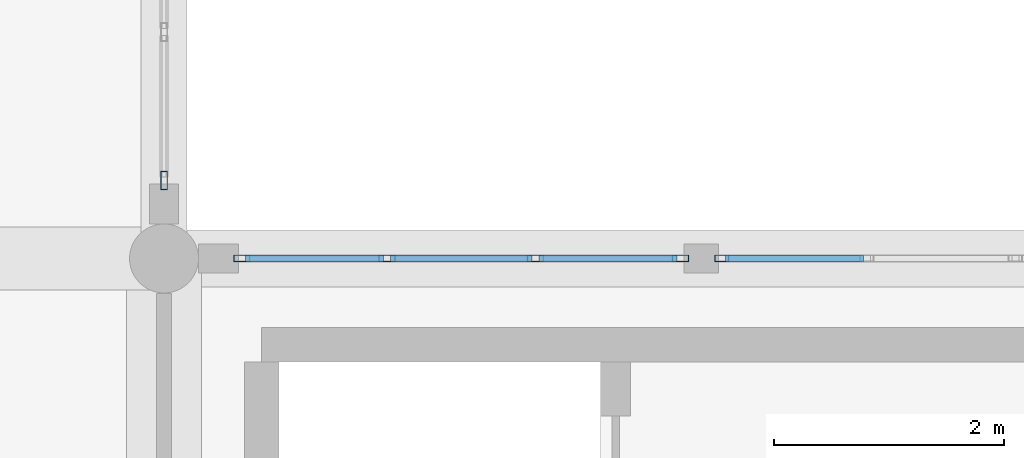
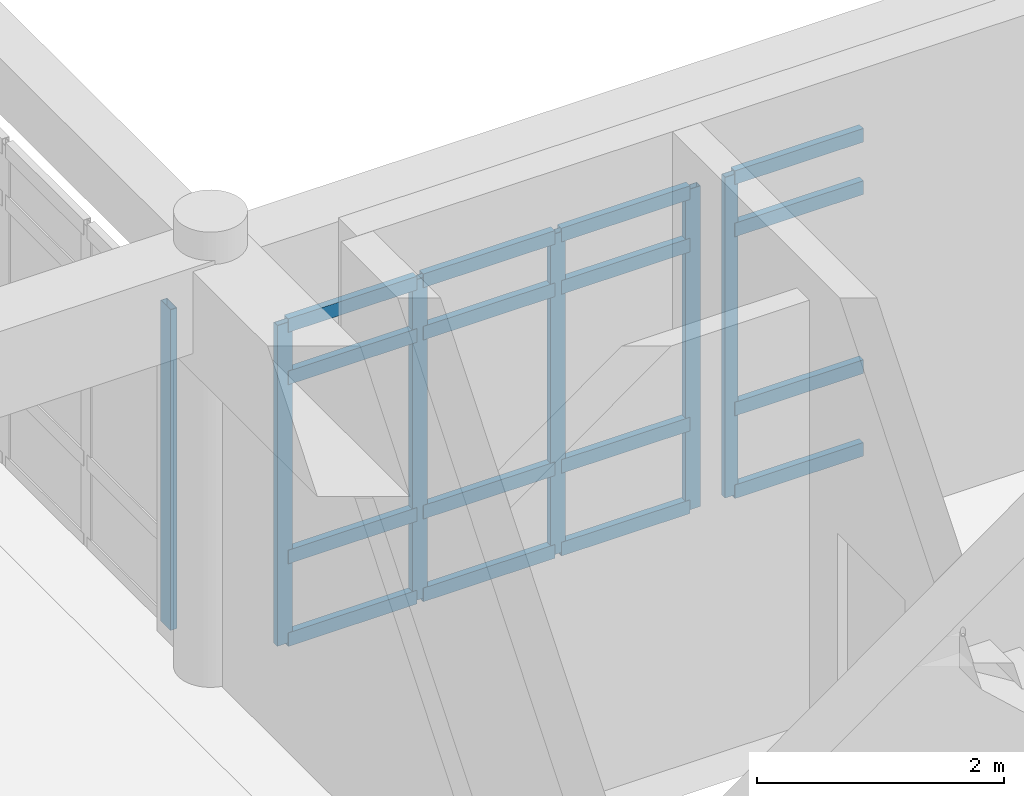
# One storey, part 4 of 109: 22 members, 3 elements without a shape of their own.
"""IFC4 building model written with IfcOpenShell, lengths in metres."""

from ifc_helpers import new_model, si_unit, direction, frame, origin, origin_2d, place, context, subcontext, project, spatial, hollow_rectangle, extrude, material, layer, layer_set, material_profile, profile_set, type_object, element, aggregate, save


model = new_model("IFC4")

# Units and contexts
model_context = context("Model", 3, precision=1e-05, world=origin(), true_north=direction((0.0, 1.0)))
body_context = subcontext(model_context, "Body", "Model", "MODEL_VIEW")
ifc_project = project(units=[si_unit("LENGTHUNIT", "METRE"), si_unit("AREAUNIT", "SQUARE_METRE"), si_unit("VOLUMEUNIT", "CUBIC_METRE"), si_unit("PLANEANGLEUNIT", "RADIAN"), si_unit("MASSUNIT", "GRAM", prefix="KILO")], contexts=[model_context])

# Site, building, storey
site_placement = place(None, origin())
site = spatial("IfcSite", under=ifc_project, at=site_placement, CompositionType="ELEMENT")
building_placement = place(site_placement, origin())
building = spatial("IfcBuilding", under=site, at=building_placement, Name="Fikremerkos Civic Library", CompositionType="ELEMENT")
storey_placement = place(building_placement, frame((0.0, 0.0, 5.39990234375)))
storey = spatial("IfcBuildingStorey", under=building, at=storey_placement, Name="L01", CompositionType="ELEMENT", Elevation=5.39990234375)

# Curtain wall, member
ifc_material = material(Name="Anodized aluminium Frame", Category="aluminium")
ifc_layer_1 = layer(ifc_material, 0.159912109375, Name="Anodized aluminium Frame")
ifc_layer_set_1 = layer_set([ifc_layer_1], Name="Anodized aluminium Frame")
curtain_wall_type_1 = type_object("IfcCurtainWallType", Name="Unitised curtain wall CW-02 3900x3600", PredefinedType="USERDEFINED", material=ifc_layer_set_1)
curtain_wall_1_placement = place(storey_placement, origin())
curtain_wall_1 = element("IfcCurtainWall", 1, at=curtain_wall_1_placement, inside=storey, type_object=curtain_wall_type_1, Name="Unitised curtain wall CW-02 L01 #74", ObjectType="UNITISED CURTAIN WALL", PredefinedType="USERDEFINED")
ifc_material_profile_1 = material_profile(ifc_material, hollow_rectangle(XDim=0.06005859375, YDim=0.159912109375, WallThickness=0.00390625, at=origin_2d()), Name="ALU 160x60x4")
ifc_profile_set_1 = profile_set([ifc_material_profile_1], Name="Anodized aluminium Frame")
member_type_1 = type_object("IfcMemberType", Name="Curtain mullion CWM-02 ALU 160x60x4", PredefinedType="MULLION", material=ifc_profile_set_1)
member_1_placement = place(storey_placement, frame((19.199951171875, 31.8779296875, 0.0), z_axis=(0.0, 0.0, 1.0), x_axis=(1.0, 0.0, 0.0)))
member_1 = element("IfcMember", 2, at=member_1_placement, type_object=member_type_1, Name="CW-02 mullion 4", PredefinedType="MULLION", context=body_context, shape_type="SweptSolid", body=[
    extrude(hollow_rectangle(XDim=0.06005859375, YDim=0.159912109375, WallThickness=0.00390625, at=origin_2d()), origin(), (0.0, 0.0, 1.0), 3.170166015625),
])
aggregate(curtain_wall_1, [member_1])

# Curtain wall, members
ifc_layer_2 = layer(ifc_material, 0.159912109375, Name="Anodized aluminium Frame")
ifc_layer_set_2 = layer_set([ifc_layer_2], Name="Anodized aluminium Frame")
curtain_wall_type_2 = type_object("IfcCurtainWallType", Name="Unitised curtain wall CW-03 4100x3600", PredefinedType="USERDEFINED", material=ifc_layer_set_2)
curtain_wall_2_placement = place(storey_placement, origin())
curtain_wall_2 = element("IfcCurtainWall", 3, at=curtain_wall_2_placement, inside=storey, type_object=curtain_wall_type_2, Name="Unitised curtain wall CW-03 L01 #75", ObjectType="UNITISED CURTAIN WALL", PredefinedType="USERDEFINED")
ifc_material_profile_2 = material_profile(ifc_material, hollow_rectangle(XDim=0.06005859375, YDim=0.139892578125, WallThickness=0.00390625, at=origin_2d()), Name="ALU 140x60x4")
ifc_profile_set_2 = profile_set([ifc_material_profile_2], Name="Anodized aluminium Frame")
member_type_2 = type_object("IfcMemberType", Name="Curtain mullion CWM-03 ALU 140x60x4", PredefinedType="MULLION", material=ifc_profile_set_2)
member_2_placement = place(storey_placement, frame((19.8779296875, 31.199951171875, 0.0), z_axis=(0.0, 0.0, 1.0), x_axis=(0.0, 1.0, 0.0)))
member_2 = element("IfcMember", 4, at=member_2_placement, type_object=member_type_2, Name="CW-03 mullion 1", PredefinedType="MULLION", context=body_context, shape_type="SweptSolid", body=[
    extrude(hollow_rectangle(XDim=0.06005859375, YDim=0.139892578125, WallThickness=0.00390625, at=origin_2d()), origin(), (0.0, 0.0, 1.0), 3.170166015625),
])
member_3_placement = place(storey_placement, frame((21.14013671875, 31.199951171875, 0.0), z_axis=(0.0, 0.0, 1.0), x_axis=(0.0, 1.0, 0.0)))
member_3 = element("IfcMember", 5, at=member_3_placement, type_object=member_type_2, Name="CW-03 mullion 2", PredefinedType="MULLION", context=body_context, shape_type="SweptSolid", body=[
    extrude(hollow_rectangle(XDim=0.06005859375, YDim=0.139892578125, WallThickness=0.00390625, at=origin_2d()), origin(), (0.0, 0.0, 1.0), 3.170166015625),
])
member_4_placement = place(storey_placement, frame((22.43212890625, 31.199951171875, 0.0), z_axis=(0.0, 0.0, 1.0), x_axis=(0.0, 1.0, 0.0)))
member_4 = element("IfcMember", 6, at=member_4_placement, type_object=member_type_2, Name="CW-03 mullion 3", PredefinedType="MULLION", context=body_context, shape_type="SweptSolid", body=[
    extrude(hollow_rectangle(XDim=0.06005859375, YDim=0.139892578125, WallThickness=0.00390625, at=origin_2d()), origin(), (0.0, 0.0, 1.0), 3.170166015625),
])
member_5_placement = place(storey_placement, frame((23.6943359375, 31.199951171875, 0.0), z_axis=(0.0, 0.0, 1.0), x_axis=(0.0, 1.0, 0.0)))
member_5 = element("IfcMember", 7, at=member_5_placement, type_object=member_type_2, Name="CW-03 mullion 4", PredefinedType="MULLION", context=body_context, shape_type="SweptSolid", body=[
    extrude(hollow_rectangle(XDim=0.06005859375, YDim=0.139892578125, WallThickness=0.00390625, at=origin_2d()), origin(), (0.0, 0.0, 1.0), 3.170166015625),
])

# Curtain wall, member
ifc_layer_3 = layer(ifc_material, 0.159912109375, Name="Anodized aluminium Frame")
ifc_layer_set_3 = layer_set([ifc_layer_3], Name="Anodized aluminium Frame")
curtain_wall_type_3 = type_object("IfcCurtainWallType", Name="Unitised curtain wall CW-04 3400x3600", PredefinedType="USERDEFINED", material=ifc_layer_set_3)
curtain_wall_3_placement = place(storey_placement, origin())
curtain_wall_3 = element("IfcCurtainWall", 8, at=curtain_wall_3_placement, inside=storey, type_object=curtain_wall_type_3, Name="Unitised curtain wall CW-04 L01 #76", ObjectType="UNITISED CURTAIN WALL", PredefinedType="USERDEFINED")
ifc_material_profile_3 = material_profile(ifc_material, hollow_rectangle(XDim=0.06005859375, YDim=0.1201171875, WallThickness=0.00390625, at=origin_2d()), Name="ALU 120x60x4")
ifc_profile_set_3 = profile_set([ifc_material_profile_3], Name="Anodized aluminium Frame")
member_type_3 = type_object("IfcMemberType", Name="Curtain mullion CWM-04 ALU 120x60x4", PredefinedType="MULLION", material=ifc_profile_set_3)
member_6_placement = place(storey_placement, frame((24.054443359375, 31.199951171875, 0.0), z_axis=(0.0, 0.0, 1.0), x_axis=(0.0, 1.0, 0.0)))
member_6 = element("IfcMember", 9, at=member_6_placement, type_object=member_type_3, Name="CW-04 mullion 1", PredefinedType="MULLION", context=body_context, shape_type="SweptSolid", body=[
    extrude(hollow_rectangle(XDim=0.06005859375, YDim=0.1201171875, WallThickness=0.00390625, at=origin_2d()), origin(), (0.0, 0.0, 1.0), 3.170166015625),
])

# Member
ifc_material_profile_4 = material_profile(ifc_material, hollow_rectangle(XDim=0.06494140625, YDim=0.135009765625, WallThickness=0.00439453125, at=origin_2d()), Name="ALU 135x65x4.5")
ifc_profile_set_4 = profile_set([ifc_material_profile_4], Name="Anodized aluminium Frame")
member_type_4 = type_object("IfcMemberType", Name="Curtain transom CWT-02 ALU 135x65x4.5", PredefinedType="USERDEFINED", material=ifc_profile_set_4)
member_7_placement = place(storey_placement, frame((19.907958984375, 31.199951171875, 0.03271484375), z_axis=(1.0, 0.0, 0.0), x_axis=(0.0, 1.0, 0.0)))
member_7 = element("IfcMember", 10, at=member_7_placement, type_object=member_type_4, Name="CW-03 transom 1.1", ObjectType="TRANSOM", PredefinedType="USERDEFINED", context=body_context, shape_type="SweptSolid", body=[
    extrude(hollow_rectangle(XDim=0.06494140625, YDim=0.135009765625, WallThickness=0.00439453125, at=origin_2d()), origin(), (0.0, 0.0, 1.0), 1.2021484375),
])

member_8_placement = place(storey_placement, frame((19.907958984375, 31.199951171875, 0.85009765625), z_axis=(1.0, 0.0, 0.0), x_axis=(0.0, 1.0, 0.0)))
member_8 = element("IfcMember", 11, at=member_8_placement, type_object=member_type_4, Name="CW-03 transom 1.2", ObjectType="TRANSOM", PredefinedType="USERDEFINED", context=body_context, shape_type="SweptSolid", body=[
    extrude(hollow_rectangle(XDim=0.06494140625, YDim=0.135009765625, WallThickness=0.00439453125, at=origin_2d()), origin(), (0.0, 0.0, 1.0), 1.2021484375),
])

member_9_placement = place(storey_placement, frame((19.907958984375, 31.199951171875, 2.6201171875), z_axis=(1.0, 0.0, 0.0), x_axis=(0.0, 1.0, 0.0)))
member_9 = element("IfcMember", 12, at=member_9_placement, type_object=member_type_4, Name="CW-03 transom 1.3", ObjectType="TRANSOM", PredefinedType="USERDEFINED", context=body_context, shape_type="SweptSolid", body=[
    extrude(hollow_rectangle(XDim=0.06494140625, YDim=0.135009765625, WallThickness=0.00439453125, at=origin_2d()), origin(), (0.0, 0.0, 1.0), 1.2021484375),
])

member_10_placement = place(storey_placement, frame((19.907958984375, 31.199951171875, 3.1376953125), z_axis=(1.0, 0.0, 0.0), x_axis=(0.0, 1.0, 0.0)))
member_10 = element("IfcMember", 13, at=member_10_placement, type_object=member_type_4, Name="CW-03 transom 1.4", ObjectType="TRANSOM", PredefinedType="USERDEFINED", context=body_context, shape_type="SweptSolid", body=[
    extrude(hollow_rectangle(XDim=0.06494140625, YDim=0.135009765625, WallThickness=0.00439453125, at=origin_2d()), origin(), (0.0, 0.0, 1.0), 1.2021484375),
])

member_11_placement = place(storey_placement, frame((21.170166015625, 31.199951171875, 0.03271484375), z_axis=(1.0, 0.0, 0.0), x_axis=(0.0, 1.0, 0.0)))
member_11 = element("IfcMember", 14, at=member_11_placement, type_object=member_type_4, Name="CW-03 transom 2.1", ObjectType="TRANSOM", PredefinedType="USERDEFINED", context=body_context, shape_type="SweptSolid", body=[
    extrude(hollow_rectangle(XDim=0.06494140625, YDim=0.135009765625, WallThickness=0.00439453125, at=origin_2d()), origin(), (0.0, 0.0, 1.0), 1.23193359375),
])

member_12_placement = place(storey_placement, frame((21.170166015625, 31.199951171875, 0.85009765625), z_axis=(1.0, 0.0, 0.0), x_axis=(0.0, 1.0, 0.0)))
member_12 = element("IfcMember", 15, at=member_12_placement, type_object=member_type_4, Name="CW-03 transom 2.2", ObjectType="TRANSOM", PredefinedType="USERDEFINED", context=body_context, shape_type="SweptSolid", body=[
    extrude(hollow_rectangle(XDim=0.06494140625, YDim=0.135009765625, WallThickness=0.00439453125, at=origin_2d()), origin(), (0.0, 0.0, 1.0), 1.23193359375),
])

member_13_placement = place(storey_placement, frame((21.170166015625, 31.199951171875, 2.6201171875), z_axis=(1.0, 0.0, 0.0), x_axis=(0.0, 1.0, 0.0)))
member_13 = element("IfcMember", 16, at=member_13_placement, type_object=member_type_4, Name="CW-03 transom 2.3", ObjectType="TRANSOM", PredefinedType="USERDEFINED", context=body_context, shape_type="SweptSolid", body=[
    extrude(hollow_rectangle(XDim=0.06494140625, YDim=0.135009765625, WallThickness=0.00439453125, at=origin_2d()), origin(), (0.0, 0.0, 1.0), 1.23193359375),
])

member_14_placement = place(storey_placement, frame((21.170166015625, 31.199951171875, 3.1376953125), z_axis=(1.0, 0.0, 0.0), x_axis=(0.0, 1.0, 0.0)))
member_14 = element("IfcMember", 17, at=member_14_placement, type_object=member_type_4, Name="CW-03 transom 2.4", ObjectType="TRANSOM", PredefinedType="USERDEFINED", context=body_context, shape_type="SweptSolid", body=[
    extrude(hollow_rectangle(XDim=0.06494140625, YDim=0.135009765625, WallThickness=0.00439453125, at=origin_2d()), origin(), (0.0, 0.0, 1.0), 1.23193359375),
])

member_15_placement = place(storey_placement, frame((22.462158203125, 31.199951171875, 0.03271484375), z_axis=(1.0, 0.0, 0.0), x_axis=(0.0, 1.0, 0.0)))
member_15 = element("IfcMember", 18, at=member_15_placement, type_object=member_type_4, Name="CW-03 transom 3.1", ObjectType="TRANSOM", PredefinedType="USERDEFINED", context=body_context, shape_type="SweptSolid", body=[
    extrude(hollow_rectangle(XDim=0.06494140625, YDim=0.135009765625, WallThickness=0.00439453125, at=origin_2d()), origin(), (0.0, 0.0, 1.0), 1.2021484375),
])

member_16_placement = place(storey_placement, frame((22.462158203125, 31.199951171875, 0.85009765625), z_axis=(1.0, 0.0, 0.0), x_axis=(0.0, 1.0, 0.0)))
member_16 = element("IfcMember", 19, at=member_16_placement, type_object=member_type_4, Name="CW-03 transom 3.2", ObjectType="TRANSOM", PredefinedType="USERDEFINED", context=body_context, shape_type="SweptSolid", body=[
    extrude(hollow_rectangle(XDim=0.06494140625, YDim=0.135009765625, WallThickness=0.00439453125, at=origin_2d()), origin(), (0.0, 0.0, 1.0), 1.2021484375),
])

member_17_placement = place(storey_placement, frame((22.462158203125, 31.199951171875, 2.6201171875), z_axis=(1.0, 0.0, 0.0), x_axis=(0.0, 1.0, 0.0)))
member_17 = element("IfcMember", 20, at=member_17_placement, type_object=member_type_4, Name="CW-03 transom 3.3", ObjectType="TRANSOM", PredefinedType="USERDEFINED", context=body_context, shape_type="SweptSolid", body=[
    extrude(hollow_rectangle(XDim=0.06494140625, YDim=0.135009765625, WallThickness=0.00439453125, at=origin_2d()), origin(), (0.0, 0.0, 1.0), 1.2021484375),
])

member_18_placement = place(storey_placement, frame((22.462158203125, 31.199951171875, 3.1376953125), z_axis=(1.0, 0.0, 0.0), x_axis=(0.0, 1.0, 0.0)))
member_18 = element("IfcMember", 21, at=member_18_placement, type_object=member_type_4, Name="CW-03 transom 3.4", ObjectType="TRANSOM", PredefinedType="USERDEFINED", context=body_context, shape_type="SweptSolid", body=[
    extrude(hollow_rectangle(XDim=0.06494140625, YDim=0.135009765625, WallThickness=0.00439453125, at=origin_2d()), origin(), (0.0, 0.0, 1.0), 1.2021484375),
])

aggregate(curtain_wall_2, [member_2, member_3, member_4, member_5, member_7, member_8, member_9, member_10, member_11, member_12, member_13, member_14, member_15, member_16, member_17, member_18])

member_19_placement = place(storey_placement, frame((24.084228515625, 31.199951171875, 0.03271484375), z_axis=(1.0, 0.0, 0.0), x_axis=(0.0, 1.0, 0.0)))
member_19 = element("IfcMember", 22, at=member_19_placement, type_object=member_type_4, Name="CW-04 transom 1.1", ObjectType="TRANSOM", PredefinedType="USERDEFINED", context=body_context, shape_type="SweptSolid", body=[
    extrude(hollow_rectangle(XDim=0.06494140625, YDim=0.135009765625, WallThickness=0.00439453125, at=origin_2d()), origin(), (0.0, 0.0, 1.0), 1.2021484375),
])

member_20_placement = place(storey_placement, frame((24.084228515625, 31.199951171875, 0.85009765625), z_axis=(1.0, 0.0, 0.0), x_axis=(0.0, 1.0, 0.0)))
member_20 = element("IfcMember", 23, at=member_20_placement, type_object=member_type_4, Name="CW-04 transom 1.2", ObjectType="TRANSOM", PredefinedType="USERDEFINED", context=body_context, shape_type="SweptSolid", body=[
    extrude(hollow_rectangle(XDim=0.06494140625, YDim=0.135009765625, WallThickness=0.00439453125, at=origin_2d()), origin(), (0.0, 0.0, 1.0), 1.2021484375),
])

member_21_placement = place(storey_placement, frame((24.084228515625, 31.199951171875, 2.6201171875), z_axis=(1.0, 0.0, 0.0), x_axis=(0.0, 1.0, 0.0)))
member_21 = element("IfcMember", 24, at=member_21_placement, type_object=member_type_4, Name="CW-04 transom 1.3", ObjectType="TRANSOM", PredefinedType="USERDEFINED", context=body_context, shape_type="SweptSolid", body=[
    extrude(hollow_rectangle(XDim=0.06494140625, YDim=0.135009765625, WallThickness=0.00439453125, at=origin_2d()), origin(), (0.0, 0.0, 1.0), 1.2021484375),
])

member_22_placement = place(storey_placement, frame((24.084228515625, 31.199951171875, 3.1376953125), z_axis=(1.0, 0.0, 0.0), x_axis=(0.0, 1.0, 0.0)))
member_22 = element("IfcMember", 25, at=member_22_placement, type_object=member_type_4, Name="CW-04 transom 1.4", ObjectType="TRANSOM", PredefinedType="USERDEFINED", context=body_context, shape_type="SweptSolid", body=[
    extrude(hollow_rectangle(XDim=0.06494140625, YDim=0.135009765625, WallThickness=0.00439453125, at=origin_2d()), origin(), (0.0, 0.0, 1.0), 1.2021484375),
])

aggregate(curtain_wall_3, [member_6, member_19, member_20, member_21, member_22])

save(model, "model.ifc")
